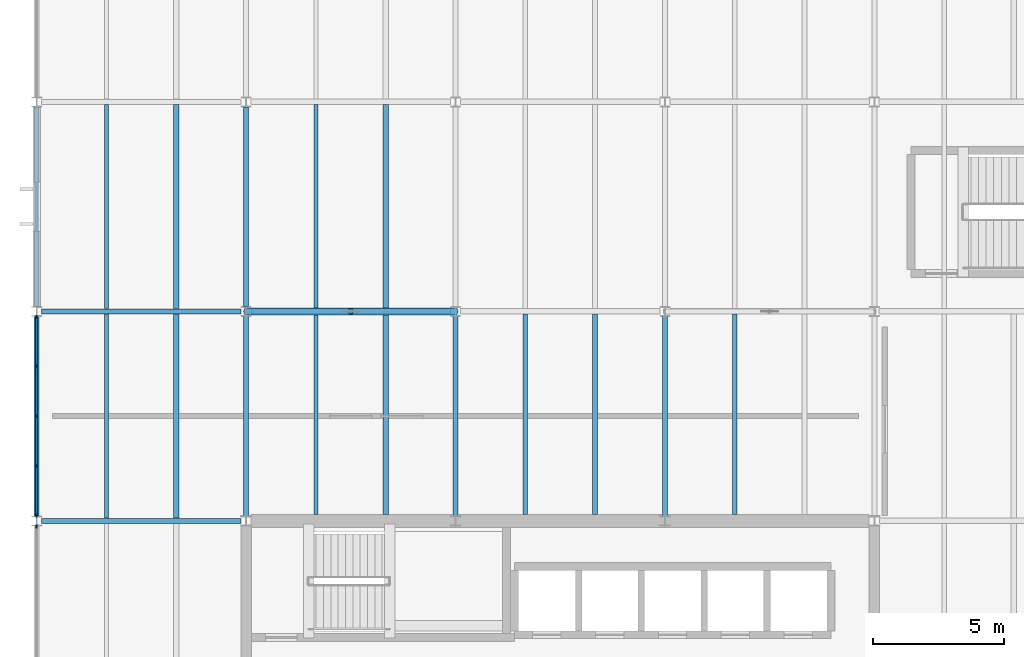
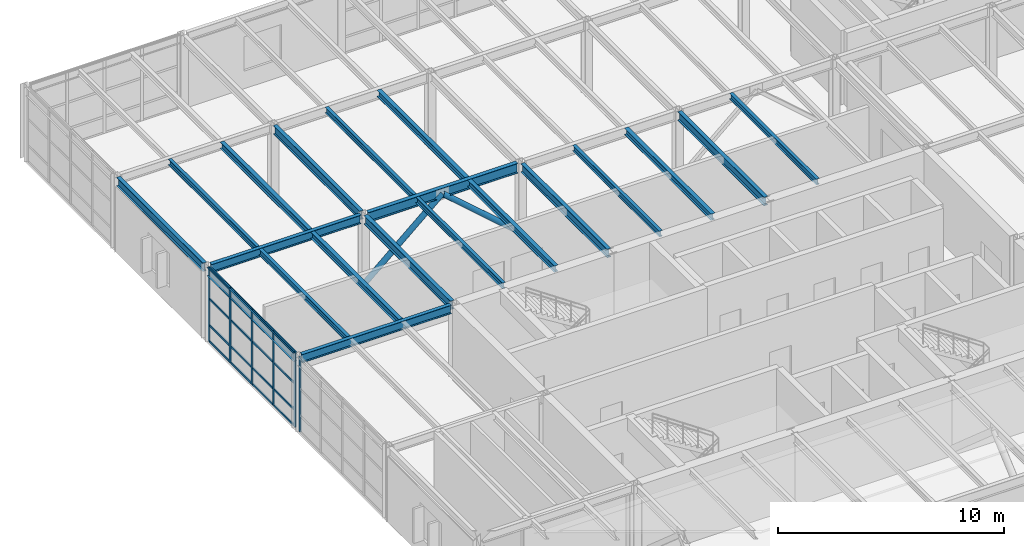
# One storey, part 16 of 50: 24 members, 20 beams, 2 elements without a shape of their own.
"""IFC4 building model written with IfcOpenShell, lengths in metres."""

from ifc_helpers import new_model, si_unit, direction, frame, origin, origin_2d, place, context, subcontext, project, spatial, rectangle, hollow_circle, i_section, extrude, material, layer, layer_set, material_profile, profile_set, type_object, element, aggregate, save


model = new_model("IFC4")

# Units and contexts
model_context = context("Model", 3, precision=1e-05, world=origin(), true_north=direction((0.0, 1.0)))
body_context = subcontext(model_context, "Body", "Model", "MODEL_VIEW")
ifc_project = project(units=[si_unit("LENGTHUNIT", "METRE"), si_unit("AREAUNIT", "SQUARE_METRE"), si_unit("VOLUMEUNIT", "CUBIC_METRE"), si_unit("PLANEANGLEUNIT", "RADIAN"), si_unit("MASSUNIT", "GRAM", prefix="KILO")], contexts=[model_context])

# Site, building, storey
site_placement = place(None, origin())
site = spatial("IfcSite", under=ifc_project, at=site_placement, CompositionType="ELEMENT")
building_placement = place(site_placement, origin())
building = spatial("IfcBuilding", under=site, at=building_placement, Name="Varnela Railside Interchange", CompositionType="ELEMENT")
storey_placement = place(building_placement, frame((0.0, 0.0, 15.39990234375)))
storey = spatial("IfcBuildingStorey", under=building, at=storey_placement, Name="L03", CompositionType="ELEMENT", Elevation=15.39990234375)

# Beams
ifc_material_1 = material(Name="Steel AR 350 (350 MPa)", Category="steel")
ifc_material_profile_1 = material_profile(ifc_material_1, i_section(OverallWidth=0.1650390625, OverallDepth=0.31005859375, WebThickness=0.005859375, FlangeThickness=0.009765625, at=origin_2d()), Name="W310x38.7")
ifc_profile_set_1 = profile_set([ifc_material_profile_1], Name="Steel AR 350 (350 MPa)")
beam_type_1 = type_object("IfcBeamType", Name="Composite Floor Joist J-04", PredefinedType="JOIST", material=ifc_profile_set_1)
for number, where, z_axis, x_axis, name in (
    (1, (6.669921875, 70.1044921875, 3.84521484375), (0.0, 1.0, 0.0), (-1.0, 0.0, 0.0), "Composite Floor Joist J-04 (L03) (BM-2126)"),
    (2, (6.669921875, 78.1044921875, 3.84521484375), (0.0, 1.0, 0.0), (-1.0, 0.0, 0.0), "Composite Floor Joist J-04 (L03) (BM-2128)"),
):
    element("IfcBeam", number, at=place(storey_placement, frame(where, z_axis=z_axis, x_axis=x_axis)), inside=storey, type_object=beam_type_1, Name=name, PredefinedType="JOIST", context=body_context, shape_type="SweptSolid", body=[
        extrude(i_section(OverallWidth=0.1650390625, OverallDepth=0.31005859375, WebThickness=0.005859375, FlangeThickness=0.009765625, at=origin_2d()), origin(), (0.0, 0.0, 1.0), 7.791015625),
    ])
beam_1_placement = place(storey_placement, frame((14.669921875, 70.239990234375, 3.84521484375), z_axis=(0.0, 1.0, 0.0), x_axis=(-1.0, 0.0, 0.0)))
element("IfcBeam", 3, at=beam_1_placement, inside=storey, type_object=beam_type_1, Name="Composite Floor Joist J-04 (L03) (BM-2171)", PredefinedType="JOIST", context=body_context, shape_type="SweptSolid", body=[
    extrude(i_section(OverallWidth=0.1650390625, OverallDepth=0.31005859375, WebThickness=0.005859375, FlangeThickness=0.009765625, at=origin_2d()), origin(), (0.0, 0.0, 1.0), 7.655517578125),
])
beam_2_placement = place(storey_placement, frame((14.669921875, 78.1044921875, 3.84521484375), z_axis=(0.0, 1.0, 0.0), x_axis=(-1.0, 0.0, 0.0)))
element("IfcBeam", 4, at=beam_2_placement, inside=storey, type_object=beam_type_1, Name="Composite Floor Joist J-04 (L03) (BM-2173)", PredefinedType="JOIST", context=body_context, shape_type="SweptSolid", body=[
    extrude(i_section(OverallWidth=0.1650390625, OverallDepth=0.31005859375, WebThickness=0.005859375, FlangeThickness=0.009765625, at=origin_2d()), origin(), (0.0, 0.0, 1.0), 7.791015625),
])
for number, where, z_axis, x_axis, name in (
    (5, (22.669921875, 70.239990234375, 3.84521484375), (0.0, 1.0, 0.0), (-1.0, 0.0, 0.0), "Composite Floor Joist J-04 (L03) (BM-2179)"),
    (6, (30.669921875, 70.239990234375, 3.84521484375), (0.0, 1.0, 0.0), (-1.0, 0.0, 0.0), "Composite Floor Joist J-04 (L03) (BM-2187)"),
):
    element("IfcBeam", number, at=place(storey_placement, frame(where, z_axis=z_axis, x_axis=x_axis)), inside=storey, type_object=beam_type_1, Name=name, PredefinedType="JOIST", context=body_context, shape_type="SweptSolid", body=[
        extrude(i_section(OverallWidth=0.1650390625, OverallDepth=0.31005859375, WebThickness=0.005859375, FlangeThickness=0.009765625, at=origin_2d()), origin(), (0.0, 0.0, 1.0), 7.655517578125),
    ])
ifc_material_profile_2 = material_profile(ifc_material_1, i_section(OverallWidth=0.208984375, OverallDepth=0.532958984375, WebThickness=0.01025390625, FlangeThickness=0.015625, at=origin_2d()), Name="W530x92")
ifc_profile_set_2 = profile_set([ifc_material_profile_2], Name="Steel AR 350 (350 MPa)")
beam_type_2 = type_object("IfcBeamType", Name="Composite Girder B-18", PredefinedType="BEAM", material=ifc_profile_set_2)
beam_3_placement = place(storey_placement, frame((12.1865234375, 78.0, 3.733642578125), z_axis=(1.0, 0.0, 0.0), x_axis=(0.0, 1.0, 0.0)))
element("IfcBeam", 7, at=beam_3_placement, inside=storey, type_object=beam_type_2, Name="Composite Girder B-18 (L03) (BM-2251)", PredefinedType="BEAM", context=body_context, shape_type="SweptSolid", body=[
    extrude(i_section(OverallWidth=0.208984375, OverallDepth=0.532958984375, WebThickness=0.01025390625, FlangeThickness=0.015625, at=origin_2d()), origin(), (0.0, 0.0, 1.0), 7.626953125),
])
ifc_material_profile_3 = material_profile(ifc_material_1, i_section(OverallWidth=0.202880859375, OverallDepth=0.346923828125, WebThickness=0.0078125, FlangeThickness=0.013427734375, at=origin_2d()), Name="W360x64")
ifc_profile_set_3 = profile_set([ifc_material_profile_3], Name="Steel AR 350 (350 MPa)")
beam_type_3 = type_object("IfcBeamType", Name="Composite Heavy Joist J-01", PredefinedType="JOIST", material=ifc_profile_set_3)
for number, where, z_axis, x_axis, name in (
    (8, (9.330078125, 70.1044921875, 3.82666015625), (0.0, 1.0, 0.0), (-1.0, 0.0, 0.0), "Composite Heavy Joist J-01 (L03) (BM-2127)"),
    (9, (9.330078125, 78.1044921875, 3.82666015625), (0.0, 1.0, 0.0), (-1.0, 0.0, 0.0), "Composite Heavy Joist J-01 (L03) (BM-2129)"),
):
    element("IfcBeam", number, at=place(storey_placement, frame(where, z_axis=z_axis, x_axis=x_axis)), inside=storey, type_object=beam_type_3, Name=name, PredefinedType="JOIST", context=body_context, shape_type="SweptSolid", body=[
        extrude(i_section(OverallWidth=0.202880859375, OverallDepth=0.346923828125, WebThickness=0.0078125, FlangeThickness=0.013427734375, at=origin_2d()), origin(), (0.0, 0.0, 1.0), 7.791015625),
    ])
beam_4_placement = place(storey_placement, frame((17.330078125, 70.239990234375, 3.82666015625), z_axis=(0.0, 1.0, 0.0), x_axis=(-1.0, 0.0, 0.0)))
element("IfcBeam", 10, at=beam_4_placement, inside=storey, type_object=beam_type_3, Name="Composite Heavy Joist J-01 (L03) (BM-2172)", PredefinedType="JOIST", context=body_context, shape_type="SweptSolid", body=[
    extrude(i_section(OverallWidth=0.202880859375, OverallDepth=0.346923828125, WebThickness=0.0078125, FlangeThickness=0.013427734375, at=origin_2d()), origin(), (0.0, 0.0, 1.0), 7.655517578125),
])
beam_5_placement = place(storey_placement, frame((17.330078125, 78.1044921875, 3.82666015625), z_axis=(0.0, 1.0, 0.0), x_axis=(-1.0, 0.0, 0.0)))
element("IfcBeam", 11, at=beam_5_placement, inside=storey, type_object=beam_type_3, Name="Composite Heavy Joist J-01 (L03) (BM-2174)", PredefinedType="JOIST", context=body_context, shape_type="SweptSolid", body=[
    extrude(i_section(OverallWidth=0.202880859375, OverallDepth=0.346923828125, WebThickness=0.0078125, FlangeThickness=0.013427734375, at=origin_2d()), origin(), (0.0, 0.0, 1.0), 7.791015625),
])
beam_6_placement = place(storey_placement, frame((25.330078125, 70.239990234375, 3.82666015625), z_axis=(0.0, 1.0, 0.0), x_axis=(-1.0, 0.0, 0.0)))
element("IfcBeam", 12, at=beam_6_placement, inside=storey, type_object=beam_type_3, Name="Composite Heavy Joist J-01 (L03) (BM-2180)", PredefinedType="JOIST", context=body_context, shape_type="SweptSolid", body=[
    extrude(i_section(OverallWidth=0.202880859375, OverallDepth=0.346923828125, WebThickness=0.0078125, FlangeThickness=0.013427734375, at=origin_2d()), origin(), (0.0, 0.0, 1.0), 7.655517578125),
])
ifc_material_profile_4 = material_profile(ifc_material_1, i_section(OverallWidth=0.194091796875, OverallDepth=0.468994140625, WebThickness=0.0126953125, FlangeThickness=0.0205078125, at=origin_2d()), Name="W460x106")
ifc_profile_set_4 = profile_set([ifc_material_profile_4], Name="Steel AR 350 (350 MPa)")
beam_type_4 = type_object("IfcBeamType", Name="Composite Primary Beam B-19", PredefinedType="BEAM", material=ifc_profile_set_4)
beam_7_placement = place(storey_placement, frame((12.0, 70.1875, 3.765625), z_axis=(0.0, 1.0, 0.0), x_axis=(-1.0, 0.0, 0.0)))
element("IfcBeam", 13, at=beam_7_placement, inside=storey, type_object=beam_type_4, Name="Composite Primary Beam B-19 (L03) (BM-2311)", PredefinedType="BEAM", context=body_context, shape_type="SweptSolid", body=[
    extrude(i_section(OverallWidth=0.194091796875, OverallDepth=0.468994140625, WebThickness=0.0126953125, FlangeThickness=0.0205078125, at=origin_2d()), origin(), (0.0, 0.0, 1.0), 7.62841796875),
])
beam_8_placement = place(storey_placement, frame((12.0, 78.18408203125, 3.765625), z_axis=(0.0, 1.0, 0.0), x_axis=(-1.0, 0.0, 0.0)))
element("IfcBeam", 14, at=beam_8_placement, inside=storey, type_object=beam_type_4, Name="Composite Primary Beam B-19 (L03) (BM-2312)", PredefinedType="BEAM", context=body_context, shape_type="SweptSolid", body=[
    extrude(i_section(OverallWidth=0.194091796875, OverallDepth=0.468994140625, WebThickness=0.0126953125, FlangeThickness=0.0205078125, at=origin_2d()), origin(), (0.0, 0.0, 1.0), 7.6318359375),
])
for number, where, z_axis, x_axis, name in (
    (15, (20.0, 70.1875, 3.765625), (0.0, 1.0, 0.0), (-1.0, 0.0, 0.0), "Composite Primary Beam B-19 (L03) (BM-2316)"),
    (16, (28.0, 70.1875, 3.765625), (0.0, 1.0, 0.0), (-1.0, 0.0, 0.0), "Composite Primary Beam B-19 (L03) (BM-2321)"),
):
    element("IfcBeam", number, at=place(storey_placement, frame(where, z_axis=z_axis, x_axis=x_axis)), inside=storey, type_object=beam_type_4, Name=name, PredefinedType="BEAM", context=body_context, shape_type="SweptSolid", body=[
        extrude(i_section(OverallWidth=0.194091796875, OverallDepth=0.468994140625, WebThickness=0.0126953125, FlangeThickness=0.0205078125, at=origin_2d()), origin(), (0.0, 0.0, 1.0), 7.62841796875),
    ])

# Curtain wall, member
ifc_material_2 = material(Name="Aluminium 6063-T6", Category="aluminium")
ifc_layer = layer(ifc_material_2, 0.035888671875)
ifc_layer_set = layer_set([ifc_layer], Name="Aluminium 6063-T6")
curtain_wall_type = type_object("IfcCurtainWallType", Name="Operations Wing Facade Curtain Wall CW-03", PredefinedType="USERDEFINED", material=ifc_layer_set)
curtain_wall_1_placement = place(storey_placement, origin())
curtain_wall_1 = element("IfcCurtainWall", 17, at=curtain_wall_1_placement, inside=storey, type_object=curtain_wall_type, Name="Curtain Wall CW-03 (L03) (CW-077)", ObjectType="CURTAIN WALL", PredefinedType="USERDEFINED")
ifc_material_profile_5 = material_profile(ifc_material_2, rectangle(XDim=0.06005859375, YDim=0.139892578125, at=origin_2d()), Name="ALU 60x140")
ifc_profile_set_5 = profile_set([ifc_material_profile_5], Name="Aluminium 6063-T6")
member_type_1 = type_object("IfcMemberType", Name="Curtain Wall Mullion ML-01", PredefinedType="MULLION", material=ifc_profile_set_5)
member_1_placement = place(storey_placement, frame((4.0, 69.785888671875, 0.0), z_axis=(0.0, 0.0, 1.0), x_axis=(-1.0, 0.0, 0.0)))
member_1 = element("IfcMember", 18, at=member_1_placement, type_object=member_type_1, Name="CW-03 mullion 5", PredefinedType="MULLION", context=body_context, shape_type="SweptSolid", body=[
    extrude(rectangle(XDim=0.06005859375, YDim=0.139892578125, at=origin_2d()), origin(), (0.0, 0.0, 1.0), 4.0),
])
aggregate(curtain_wall_1, [member_1])

# Curtain wall, members
curtain_wall_2_placement = place(storey_placement, origin())
curtain_wall_2 = element("IfcCurtainWall", 19, at=curtain_wall_2_placement, inside=storey, type_object=curtain_wall_type, Name="Curtain Wall CW-03 (L03) (CW-078)", ObjectType="CURTAIN WALL", PredefinedType="USERDEFINED")
member_2_placement = place(storey_placement, frame((4.0, 70.214111328125, 0.0), z_axis=(0.0, 0.0, 1.0), x_axis=(-1.0, 0.0, 0.0)))
member_2 = element("IfcMember", 20, at=member_2_placement, type_object=member_type_1, Name="CW-03 mullion 1", PredefinedType="MULLION", context=body_context, shape_type="SweptSolid", body=[
    extrude(rectangle(XDim=0.06005859375, YDim=0.139892578125, at=origin_2d()), origin(), (0.0, 0.0, 1.0), 4.0),
])
member_3_placement = place(storey_placement, frame((4.0, 72.092041015625, 0.0), z_axis=(0.0, 0.0, 1.0), x_axis=(-1.0, 0.0, 0.0)))
member_3 = element("IfcMember", 21, at=member_3_placement, type_object=member_type_1, Name="CW-03 mullion 2", PredefinedType="MULLION", context=body_context, shape_type="SweptSolid", body=[
    extrude(rectangle(XDim=0.06005859375, YDim=0.139892578125, at=origin_2d()), origin(), (0.0, 0.0, 1.0), 4.0),
])
member_4_placement = place(storey_placement, frame((4.0, 74.0, 0.0), z_axis=(0.0, 0.0, 1.0), x_axis=(-1.0, 0.0, 0.0)))
member_4 = element("IfcMember", 22, at=member_4_placement, type_object=member_type_1, Name="CW-03 mullion 3", PredefinedType="MULLION", context=body_context, shape_type="SweptSolid", body=[
    extrude(rectangle(XDim=0.06005859375, YDim=0.139892578125, at=origin_2d()), origin(), (0.0, 0.0, 1.0), 4.0),
])
member_5_placement = place(storey_placement, frame((4.0, 75.907958984375, 0.0), z_axis=(0.0, 0.0, 1.0), x_axis=(-1.0, 0.0, 0.0)))
member_5 = element("IfcMember", 23, at=member_5_placement, type_object=member_type_1, Name="CW-03 mullion 4", PredefinedType="MULLION", context=body_context, shape_type="SweptSolid", body=[
    extrude(rectangle(XDim=0.06005859375, YDim=0.139892578125, at=origin_2d()), origin(), (0.0, 0.0, 1.0), 4.0),
])
member_6_placement = place(storey_placement, frame((4.0, 77.785888671875, 0.0), z_axis=(0.0, 0.0, 1.0), x_axis=(-1.0, 0.0, 0.0)))
member_6 = element("IfcMember", 24, at=member_6_placement, type_object=member_type_1, Name="CW-03 mullion 5", PredefinedType="MULLION", context=body_context, shape_type="SweptSolid", body=[
    extrude(rectangle(XDim=0.06005859375, YDim=0.139892578125, at=origin_2d()), origin(), (0.0, 0.0, 1.0), 4.0),
])
ifc_material_profile_6 = material_profile(ifc_material_2, rectangle(XDim=0.06005859375, YDim=0.110107421875, at=origin_2d()), Name="ALU 60x110")
ifc_profile_set_6 = profile_set([ifc_material_profile_6], Name="Aluminium 6063-T6")
member_type_2 = type_object("IfcMemberType", Name="Curtain Wall Transom TR-01", PredefinedType="USERDEFINED", material=ifc_profile_set_6)
member_7_placement = place(storey_placement, frame((4.0, 70.243896484375, 0.030029296875), z_axis=(0.0, 1.0, 0.0), x_axis=(-1.0, 0.0, 0.0)))
member_7 = element("IfcMember", 25, at=member_7_placement, type_object=member_type_2, Name="CW-03 transom 1.1", ObjectType="TRANSOM", PredefinedType="USERDEFINED", context=body_context, shape_type="SweptSolid", body=[
    extrude(rectangle(XDim=0.06005859375, YDim=0.110107421875, at=origin_2d()), origin(), (0.0, 0.0, 1.0), 1.818115234375),
])
member_8_placement = place(storey_placement, frame((4.0, 70.243896484375, 0.900146484375), z_axis=(0.0, 1.0, 0.0), x_axis=(-1.0, 0.0, 0.0)))
member_8 = element("IfcMember", 26, at=member_8_placement, type_object=member_type_2, Name="CW-03 transom 1.2", ObjectType="TRANSOM", PredefinedType="USERDEFINED", context=body_context, shape_type="SweptSolid", body=[
    extrude(rectangle(XDim=0.06005859375, YDim=0.110107421875, at=origin_2d()), origin(), (0.0, 0.0, 1.0), 1.818115234375),
])
member_9_placement = place(storey_placement, frame((4.0, 70.243896484375, 2.320068359375), z_axis=(0.0, 1.0, 0.0), x_axis=(-1.0, 0.0, 0.0)))
member_9 = element("IfcMember", 27, at=member_9_placement, type_object=member_type_2, Name="CW-03 transom 1.3", ObjectType="TRANSOM", PredefinedType="USERDEFINED", context=body_context, shape_type="SweptSolid", body=[
    extrude(rectangle(XDim=0.06005859375, YDim=0.110107421875, at=origin_2d()), origin(), (0.0, 0.0, 1.0), 1.818115234375),
])
member_10_placement = place(storey_placement, frame((4.0, 70.243896484375, 3.97021484375), z_axis=(0.0, 1.0, 0.0), x_axis=(-1.0, 0.0, 0.0)))
member_10 = element("IfcMember", 28, at=member_10_placement, type_object=member_type_2, Name="CW-03 transom 1.4", ObjectType="TRANSOM", PredefinedType="USERDEFINED", context=body_context, shape_type="SweptSolid", body=[
    extrude(rectangle(XDim=0.06005859375, YDim=0.110107421875, at=origin_2d()), origin(), (0.0, 0.0, 1.0), 1.818115234375),
])
member_11_placement = place(storey_placement, frame((4.0, 72.1220703125, 0.030029296875), z_axis=(0.0, 1.0, 0.0), x_axis=(-1.0, 0.0, 0.0)))
member_11 = element("IfcMember", 29, at=member_11_placement, type_object=member_type_2, Name="CW-03 transom 2.1", ObjectType="TRANSOM", PredefinedType="USERDEFINED", context=body_context, shape_type="SweptSolid", body=[
    extrude(rectangle(XDim=0.06005859375, YDim=0.110107421875, at=origin_2d()), origin(), (0.0, 0.0, 1.0), 1.847900390625),
])
member_12_placement = place(storey_placement, frame((4.0, 72.1220703125, 0.900146484375), z_axis=(0.0, 1.0, 0.0), x_axis=(-1.0, 0.0, 0.0)))
member_12 = element("IfcMember", 30, at=member_12_placement, type_object=member_type_2, Name="CW-03 transom 2.2", ObjectType="TRANSOM", PredefinedType="USERDEFINED", context=body_context, shape_type="SweptSolid", body=[
    extrude(rectangle(XDim=0.06005859375, YDim=0.110107421875, at=origin_2d()), origin(), (0.0, 0.0, 1.0), 1.847900390625),
])
member_13_placement = place(storey_placement, frame((4.0, 72.1220703125, 2.320068359375), z_axis=(0.0, 1.0, 0.0), x_axis=(-1.0, 0.0, 0.0)))
member_13 = element("IfcMember", 31, at=member_13_placement, type_object=member_type_2, Name="CW-03 transom 2.3", ObjectType="TRANSOM", PredefinedType="USERDEFINED", context=body_context, shape_type="SweptSolid", body=[
    extrude(rectangle(XDim=0.06005859375, YDim=0.110107421875, at=origin_2d()), origin(), (0.0, 0.0, 1.0), 1.847900390625),
])
member_14_placement = place(storey_placement, frame((4.0, 72.1220703125, 3.97021484375), z_axis=(0.0, 1.0, 0.0), x_axis=(-1.0, 0.0, 0.0)))
member_14 = element("IfcMember", 32, at=member_14_placement, type_object=member_type_2, Name="CW-03 transom 2.4", ObjectType="TRANSOM", PredefinedType="USERDEFINED", context=body_context, shape_type="SweptSolid", body=[
    extrude(rectangle(XDim=0.06005859375, YDim=0.110107421875, at=origin_2d()), origin(), (0.0, 0.0, 1.0), 1.847900390625),
])
member_15_placement = place(storey_placement, frame((4.0, 74.030029296875, 0.030029296875), z_axis=(0.0, 1.0, 0.0), x_axis=(-1.0, 0.0, 0.0)))
member_15 = element("IfcMember", 33, at=member_15_placement, type_object=member_type_2, Name="CW-03 transom 3.1", ObjectType="TRANSOM", PredefinedType="USERDEFINED", context=body_context, shape_type="SweptSolid", body=[
    extrude(rectangle(XDim=0.06005859375, YDim=0.110107421875, at=origin_2d()), origin(), (0.0, 0.0, 1.0), 1.847900390625),
])
member_16_placement = place(storey_placement, frame((4.0, 74.030029296875, 0.900146484375), z_axis=(0.0, 1.0, 0.0), x_axis=(-1.0, 0.0, 0.0)))
member_16 = element("IfcMember", 34, at=member_16_placement, type_object=member_type_2, Name="CW-03 transom 3.2", ObjectType="TRANSOM", PredefinedType="USERDEFINED", context=body_context, shape_type="SweptSolid", body=[
    extrude(rectangle(XDim=0.06005859375, YDim=0.110107421875, at=origin_2d()), origin(), (0.0, 0.0, 1.0), 1.847900390625),
])
member_17_placement = place(storey_placement, frame((4.0, 74.030029296875, 2.320068359375), z_axis=(0.0, 1.0, 0.0), x_axis=(-1.0, 0.0, 0.0)))
member_17 = element("IfcMember", 35, at=member_17_placement, type_object=member_type_2, Name="CW-03 transom 3.3", ObjectType="TRANSOM", PredefinedType="USERDEFINED", context=body_context, shape_type="SweptSolid", body=[
    extrude(rectangle(XDim=0.06005859375, YDim=0.110107421875, at=origin_2d()), origin(), (0.0, 0.0, 1.0), 1.847900390625),
])
member_18_placement = place(storey_placement, frame((4.0, 74.030029296875, 3.97021484375), z_axis=(0.0, 1.0, 0.0), x_axis=(-1.0, 0.0, 0.0)))
member_18 = element("IfcMember", 36, at=member_18_placement, type_object=member_type_2, Name="CW-03 transom 3.4", ObjectType="TRANSOM", PredefinedType="USERDEFINED", context=body_context, shape_type="SweptSolid", body=[
    extrude(rectangle(XDim=0.06005859375, YDim=0.110107421875, at=origin_2d()), origin(), (0.0, 0.0, 1.0), 1.847900390625),
])
member_19_placement = place(storey_placement, frame((4.0, 75.93798828125, 0.030029296875), z_axis=(0.0, 1.0, 0.0), x_axis=(-1.0, 0.0, 0.0)))
member_19 = element("IfcMember", 37, at=member_19_placement, type_object=member_type_2, Name="CW-03 transom 4.1", ObjectType="TRANSOM", PredefinedType="USERDEFINED", context=body_context, shape_type="SweptSolid", body=[
    extrude(rectangle(XDim=0.06005859375, YDim=0.110107421875, at=origin_2d()), origin(), (0.0, 0.0, 1.0), 1.818115234375),
])
member_20_placement = place(storey_placement, frame((4.0, 75.93798828125, 0.900146484375), z_axis=(0.0, 1.0, 0.0), x_axis=(-1.0, 0.0, 0.0)))
member_20 = element("IfcMember", 38, at=member_20_placement, type_object=member_type_2, Name="CW-03 transom 4.2", ObjectType="TRANSOM", PredefinedType="USERDEFINED", context=body_context, shape_type="SweptSolid", body=[
    extrude(rectangle(XDim=0.06005859375, YDim=0.110107421875, at=origin_2d()), origin(), (0.0, 0.0, 1.0), 1.818115234375),
])
member_21_placement = place(storey_placement, frame((4.0, 75.93798828125, 2.320068359375), z_axis=(0.0, 1.0, 0.0), x_axis=(-1.0, 0.0, 0.0)))
member_21 = element("IfcMember", 39, at=member_21_placement, type_object=member_type_2, Name="CW-03 transom 4.3", ObjectType="TRANSOM", PredefinedType="USERDEFINED", context=body_context, shape_type="SweptSolid", body=[
    extrude(rectangle(XDim=0.06005859375, YDim=0.110107421875, at=origin_2d()), origin(), (0.0, 0.0, 1.0), 1.818115234375),
])
member_22_placement = place(storey_placement, frame((4.0, 75.93798828125, 3.97021484375), z_axis=(0.0, 1.0, 0.0), x_axis=(-1.0, 0.0, 0.0)))
member_22 = element("IfcMember", 40, at=member_22_placement, type_object=member_type_2, Name="CW-03 transom 4.4", ObjectType="TRANSOM", PredefinedType="USERDEFINED", context=body_context, shape_type="SweptSolid", body=[
    extrude(rectangle(XDim=0.06005859375, YDim=0.110107421875, at=origin_2d()), origin(), (0.0, 0.0, 1.0), 1.818115234375),
])
aggregate(curtain_wall_2, [member_2, member_3, member_4, member_5, member_6, member_7, member_8, member_9, member_10, member_11, member_12, member_13, member_14, member_15, member_16, member_17, member_18, member_19, member_20, member_21, member_22])

# Beams
ifc_material_profile_7 = material_profile(ifc_material_1, i_section(OverallWidth=0.19091796875, OverallDepth=0.4599609375, WebThickness=0.010009765625, FlangeThickness=0.01611328125, at=origin_2d()), Name="W460x82")
ifc_profile_set_7 = profile_set([ifc_material_profile_7], Name="Steel AR 350 (350 MPa)")
beam_type_5 = type_object("IfcBeamType", Name="Steel Perimeter Spandrel SP-01", PredefinedType="SPANDREL", material=ifc_profile_set_7)
beam_9_placement = place(storey_placement, frame((4.1865234375, 70.0, 3.77001953125), z_axis=(1.0, 0.0, 0.0), x_axis=(0.0, 1.0, 0.0)))
element("IfcBeam", 41, at=beam_9_placement, inside=storey, type_object=beam_type_5, Name="Steel Perimeter Spandrel SP-01 (L03) (BM-2248)", PredefinedType="SPANDREL", context=body_context, shape_type="SweptSolid", body=[
    extrude(i_section(OverallWidth=0.19091796875, OverallDepth=0.4599609375, WebThickness=0.010009765625, FlangeThickness=0.01611328125, at=origin_2d()), origin(), (0.0, 0.0, 1.0), 7.616455078125),
])
beam_10_placement = place(storey_placement, frame((4.1865234375, 78.0, 3.77001953125), z_axis=(1.0, 0.0, 0.0), x_axis=(0.0, 1.0, 0.0)))
element("IfcBeam", 42, at=beam_10_placement, inside=storey, type_object=beam_type_5, Name="Steel Perimeter Spandrel SP-01 (L03) (BM-2257)", PredefinedType="SPANDREL", context=body_context, shape_type="SweptSolid", body=[
    extrude(i_section(OverallWidth=0.19091796875, OverallDepth=0.4599609375, WebThickness=0.010009765625, FlangeThickness=0.01611328125, at=origin_2d()), origin(), (0.0, 0.0, 1.0), 7.626953125),
])
for number, where, z_axis, x_axis, name in (
    (43, (4.0, 70.18408203125, 3.77001953125), (0.0, 1.0, 0.0), (-1.0, 0.0, 0.0), "Steel Perimeter Spandrel SP-01 (L03) (BM-2306)"),
    (44, (4.0, 78.18408203125, 3.77001953125), (0.0, 1.0, 0.0), (-1.0, 0.0, 0.0), "Steel Perimeter Spandrel SP-01 (L03) (BM-2307)"),
):
    element("IfcBeam", number, at=place(storey_placement, frame(where, z_axis=z_axis, x_axis=x_axis)), inside=storey, type_object=beam_type_5, Name=name, PredefinedType="SPANDREL", context=body_context, shape_type="SweptSolid", body=[
        extrude(i_section(OverallWidth=0.19091796875, OverallDepth=0.4599609375, WebThickness=0.010009765625, FlangeThickness=0.01611328125, at=origin_2d()), origin(), (0.0, 0.0, 1.0), 7.6318359375),
    ])

# Members
ifc_material_profile_8 = material_profile(ifc_material_1, hollow_circle(Radius=0.136474609375, WallThickness=0.01611328125, at=origin_2d()), Name="CHS 273x16")
ifc_profile_set_8 = profile_set([ifc_material_profile_8], Name="Steel AR 350 (350 MPa)")
member_type_3 = type_object("IfcMemberType", Name="Tubular Upper Brace BR-12", PredefinedType="BRACE", material=ifc_profile_set_8)
for number, where, z_axis, x_axis, name in (
    (45, (12.0, 78.0, 0.150146484375), (0.752576694707, 0.0, 0.658504607869), (0.0, 1.0, 0.0), "Tubular Upper Brace BR-12 (L03) (MB-0089)"),
    (46, (20.0, 78.0, 0.150146484375), (-0.752576694707, 0.0, 0.658504607869), (0.0, -1.0, 0.0), "Tubular Upper Brace BR-12 (L03) (MB-0090)"),
):
    element("IfcMember", number, at=place(storey_placement, frame(where, z_axis=z_axis, x_axis=x_axis)), inside=storey, type_object=member_type_3, Name=name, PredefinedType="BRACE", context=body_context, shape_type="SweptSolid", body=[
        extrude(hollow_circle(Radius=0.136474609375, WallThickness=0.01611328125, at=origin_2d()), origin(), (0.0, 0.0, 1.0), 5.315185546875),
    ])

save(model, "model.ifc")
